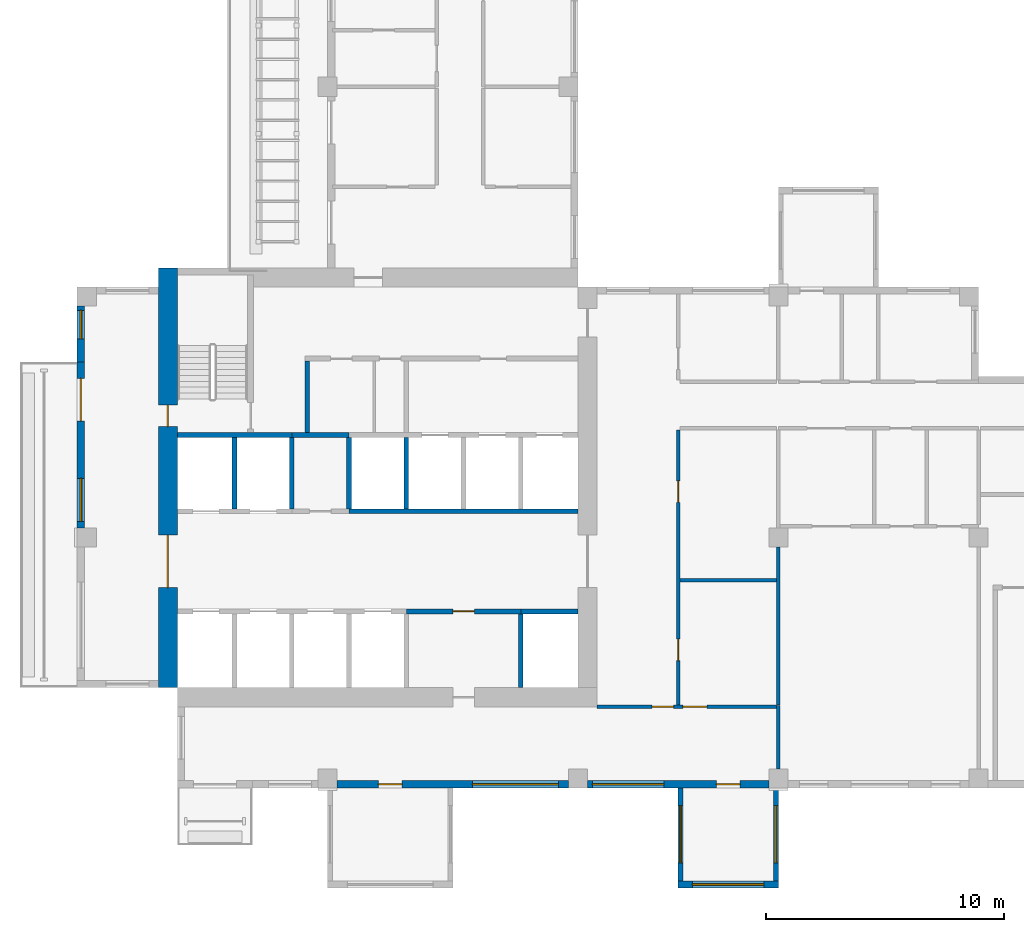
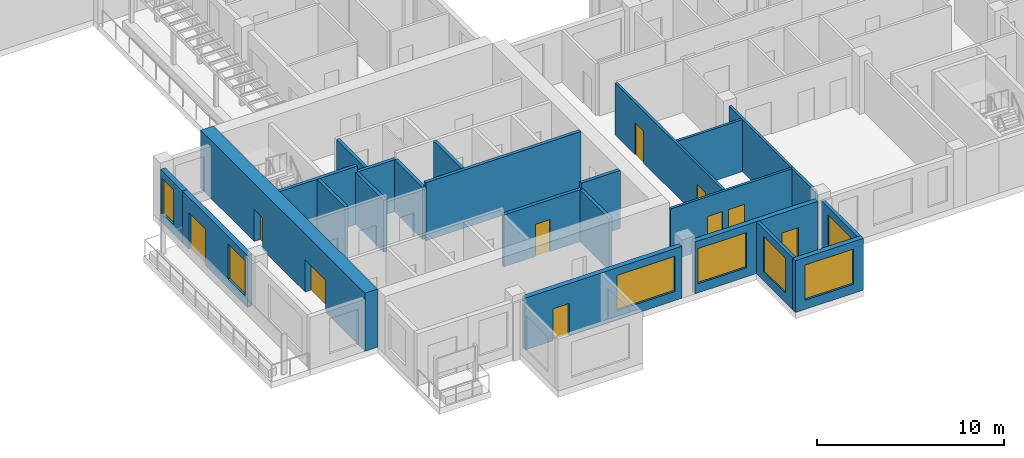
# One storey, part 4 of 14: 24 walls, 10 doors, 7 windows, 17 openings.
"""IFC4 building model written with IfcOpenShell, lengths in metres."""

from ifc_helpers import new_model, si_unit, direction, frame, frame_2d, origin, place, context, subcontext, project, spatial, rectangle, extrude, source, transform, mapped, material, layer, layer_set, type_object, element, fill, save


model = new_model("IFC4")

# Units and contexts
model_context = context("Model", 3, precision=1e-05, world=origin(), true_north=direction((0.0, 1.0)))
body_context = subcontext(model_context, "Body", "Model", "MODEL_VIEW")
ifc_project = project(units=[si_unit("LENGTHUNIT", "METRE"), si_unit("AREAUNIT", "SQUARE_METRE"), si_unit("VOLUMEUNIT", "CUBIC_METRE"), si_unit("PLANEANGLEUNIT", "RADIAN"), si_unit("MASSUNIT", "GRAM", prefix="KILO")], contexts=[model_context])

# Site, building, storey
site_placement = place(None, origin())
site = spatial("IfcSite", under=ifc_project, at=site_placement, CompositionType="ELEMENT")
building_placement = place(site_placement, origin())
building = spatial("IfcBuilding", under=site, at=building_placement, Name="Aurelian Terraces", CompositionType="ELEMENT")
storey_placement = place(building_placement, frame((0.0, 0.0, 231.0)))
storey = spatial("IfcBuildingStorey", under=building, at=storey_placement, Name="L52", CompositionType="ELEMENT", Elevation=231.0)

# Wall, openings, window, door
ifc_material_1 = material(Name="Terracotta rainscreen cladding", Category="masonry")
ifc_layer_1 = layer(ifc_material_1, 0.3)
ifc_layer_set_1 = layer_set([ifc_layer_1], Name="EW-300")
wall_type_1 = type_object("IfcWallType", Name="EW-300", PredefinedType="STANDARD", material=ifc_layer_set_1)
wall_1_placement = place(storey_placement, frame((10.9, 0.15, 0.0), z_axis=(0.0, 0.0, 1.0), x_axis=(1.0, 0.0, 0.0)))
wall_1 = element("IfcWall", 1, at=wall_1_placement, inside=storey, type_object=wall_type_1, Name="External wall L52 F01.3", PredefinedType="STANDARD", context=body_context, shape_type="SweptSolid", body=[
    extrude(rectangle(XDim=9.7, YDim=0.3, at=frame_2d((4.85, 0.0))), origin(), (0.0, 0.0, 1.0), 3.4),
])
shared_shape_1 = source(origin(), body_context, "Body", "SweptSolid", [
    extrude(rectangle(XDim=3.6, YDim=2.3, at=frame_2d((1.8, 1.15))), frame((0.0, 0.16, 0.0), z_axis=(0.0, -1.0, 0.0), x_axis=(1.0, 0.0, 0.0)), (0.0, 0.0, 1.0), 0.32),
])
opening_1_placement = place(wall_1_placement, frame((5.675, 0.0, 0.6)))
opening_1 = element("IfcOpeningElement", 2, at=opening_1_placement, cuts=wall_1, Name="Opening W3623", PredefinedType="OPENING", context=body_context, shape_type="MappedRepresentation", body=[
    mapped(shared_shape_1, transform((0.0, 0.0, 0.0), scale=1.0)),
])
shared_shape_2 = source(origin(), body_context, "Body", "SweptSolid", [
    extrude(rectangle(XDim=1.0, YDim=2.1, at=frame_2d((0.5, 1.05))), frame((0.0, 0.16, 0.0), z_axis=(0.0, -1.0, 0.0), x_axis=(1.0, 0.0, 0.0)), (0.0, 0.0, 1.0), 0.32),
])
opening_2_placement = place(wall_1_placement, frame((1.725, 0.0, 0.0)))
opening_2 = element("IfcOpeningElement", 3, at=opening_2_placement, cuts=wall_1, Name="Opening 852001", PredefinedType="OPENING", context=body_context, shape_type="MappedRepresentation", body=[
    mapped(shared_shape_2, transform((0.0, 0.0, 0.0), scale=1.0)),
])
ifc_material_2 = material(Name="Clear glazing", Category="glass")
window_type_1 = type_object("IfcWindowType", Name="W-3600x2300", PartitioningType="SINGLE_PANEL", PredefinedType="WINDOW", material=ifc_material_2)
shared_shape_3 = source(origin(), body_context, "Body", "SweptSolid", [
    extrude(rectangle(XDim=3.6, YDim=2.3, at=frame_2d((1.8, 1.15))), frame((0.0, 0.03, 0.0), z_axis=(0.0, -1.0, 0.0), x_axis=(1.0, 0.0, 0.0)), (0.0, 0.0, 1.0), 0.06),
])
window_1_placement = place(opening_1_placement, origin())
window_1 = element("IfcWindow", 4, at=window_1_placement, inside=storey, type_object=window_type_1, Name="Window L52 L52-F01-03-1", OverallHeight=2.3, OverallWidth=3.6, PartitioningType="SINGLE_PANEL", PredefinedType="WINDOW", context=body_context, shape_type="MappedRepresentation", body=[
    mapped(shared_shape_3, transform((0.0, 0.0, 0.0), scale=1.0)),
])
fill(opening_1, window_1)
ifc_material_3 = material(Name="Timber door leaf", Category="wood")
door_type_1 = type_object("IfcDoorType", Name="Room door 1000x2100 left", OperationType="SINGLE_SWING_LEFT", PredefinedType="DOOR", material=ifc_material_3)
shared_shape_4 = source(origin(), body_context, "Body", "SweptSolid", [
    extrude(rectangle(XDim=1.0, YDim=2.1, at=frame_2d((0.5, 1.05))), frame((0.0, 0.025, 0.0), z_axis=(0.0, -1.0, 0.0), x_axis=(1.0, 0.0, 0.0)), (0.0, 0.0, 1.0), 0.05),
])
door_1_placement = place(opening_2_placement, origin())
door_1 = element("IfcDoor", 5, at=door_1_placement, inside=storey, type_object=door_type_1, Name="Door 852001", OperationType="SINGLE_SWING_LEFT", OverallHeight=2.1, OverallWidth=1.0, PredefinedType="DOOR", context=body_context, shape_type="MappedRepresentation", body=[
    mapped(shared_shape_4, transform((0.0, 0.0, 0.0), scale=1.0)),
])
fill(opening_2, door_1)

# Wall, opening, window
wall_2_placement = place(storey_placement, frame((0.15, 20.2, 0.0), z_axis=(0.0, 0.0, 1.0), x_axis=(0.0, -1.0, 0.0)))
wall_2 = element("IfcWall", 6, at=wall_2_placement, inside=storey, type_object=wall_type_1, Name="External wall L52 F22.36", PredefinedType="STANDARD", context=body_context, shape_type="SweptSolid", body=[
    extrude(rectangle(XDim=2.35, YDim=0.3, at=frame_2d((1.175, 0.0))), origin(), (0.0, 0.0, 1.0), 3.4),
])
shared_shape_5 = source(origin(), body_context, "Body", "SweptSolid", [
    extrude(rectangle(XDim=1.2, YDim=2.3, at=frame_2d((0.6, 1.15))), frame((0.0, 0.16, 0.0), z_axis=(0.0, -1.0, 0.0), x_axis=(1.0, 0.0, 0.0)), (0.0, 0.0, 1.0), 0.32),
])
opening_3_placement = place(wall_2_placement, frame((0.175, 0.0, 0.6)))
opening_3 = element("IfcOpeningElement", 7, at=opening_3_placement, cuts=wall_2, Name="Opening W1223", PredefinedType="OPENING", context=body_context, shape_type="MappedRepresentation", body=[
    mapped(shared_shape_5, transform((0.0, 0.0, 0.0), scale=1.0)),
])
window_type_2 = type_object("IfcWindowType", Name="W-1200x2300", PartitioningType="SINGLE_PANEL", PredefinedType="WINDOW", material=ifc_material_2)
shared_shape_6 = source(origin(), body_context, "Body", "SweptSolid", [
    extrude(rectangle(XDim=1.2, YDim=2.3, at=frame_2d((0.6, 1.15))), frame((0.0, 0.03, 0.0), z_axis=(0.0, -1.0, 0.0), x_axis=(1.0, 0.0, 0.0)), (0.0, 0.0, 1.0), 0.06),
])
window_2_placement = place(opening_3_placement, origin())
window_2 = element("IfcWindow", 8, at=window_2_placement, inside=storey, type_object=window_type_2, Name="Window L52 L52-F22-36-0", OverallHeight=2.3, OverallWidth=1.2, PartitioningType="SINGLE_PANEL", PredefinedType="WINDOW", context=body_context, shape_type="MappedRepresentation", body=[
    mapped(shared_shape_6, transform((0.0, 0.0, 0.0), scale=1.0)),
])
fill(opening_3, window_2)

# Wall, openings, door, window
wall_3_placement = place(storey_placement, frame((0.15, 17.85, 0.0), z_axis=(0.0, 0.0, 1.0), x_axis=(0.0, -1.0, 0.0)))
wall_3 = element("IfcWall", 9, at=wall_3_placement, inside=storey, type_object=wall_type_1, Name="External wall L52 F22.37", PredefinedType="STANDARD", context=body_context, shape_type="SweptSolid", body=[
    extrude(rectangle(XDim=6.95, YDim=0.3, at=frame_2d((3.475, 0.0))), origin(), (0.0, 0.0, 1.0), 3.4),
])
shared_shape_7 = source(origin(), body_context, "Body", "SweptSolid", [
    extrude(rectangle(XDim=1.8, YDim=2.4, at=frame_2d((0.9, 1.2))), frame((0.0, 0.16, 0.0), z_axis=(0.0, -1.0, 0.0), x_axis=(1.0, 0.0, 0.0)), (0.0, 0.0, 1.0), 0.32),
])
opening_4_placement = place(wall_3_placement, frame((0.675, 0.0, 0.0)))
opening_4 = element("IfcOpeningElement", 10, at=opening_4_placement, cuts=wall_3, Name="Opening 85207", PredefinedType="OPENING", context=body_context, shape_type="MappedRepresentation", body=[
    mapped(shared_shape_7, transform((0.0, 0.0, 0.0), scale=1.0)),
])
shared_shape_8 = source(origin(), body_context, "Body", "SweptSolid", [
    extrude(rectangle(XDim=1.8, YDim=2.3, at=frame_2d((0.9, 1.15))), frame((0.0, 0.16, 0.0), z_axis=(0.0, -1.0, 0.0), x_axis=(1.0, 0.0, 0.0)), (0.0, 0.0, 1.0), 0.32),
])
opening_5_placement = place(wall_3_placement, frame((4.875, 0.0, 0.6)))
opening_5 = element("IfcOpeningElement", 11, at=opening_5_placement, cuts=wall_3, Name="Opening W1823", PredefinedType="OPENING", context=body_context, shape_type="MappedRepresentation", body=[
    mapped(shared_shape_8, transform((0.0, 0.0, 0.0), scale=1.0)),
])
door_type_2 = type_object("IfcDoorType", Name="BD-1800x2400", OperationType="SLIDING_TO_LEFT", PredefinedType="DOOR", material=ifc_material_2)
shared_shape_9 = source(origin(), body_context, "Body", "SweptSolid", [
    extrude(rectangle(XDim=1.8, YDim=2.4, at=frame_2d((0.9, 1.2))), frame((0.0, 0.025, 0.0), z_axis=(0.0, -1.0, 0.0), x_axis=(1.0, 0.0, 0.0)), (0.0, 0.0, 1.0), 0.05),
])
door_2_placement = place(opening_4_placement, origin())
door_2 = element("IfcDoor", 12, at=door_2_placement, inside=storey, type_object=door_type_2, Name="Balcony door L52 F22.37", OperationType="SLIDING_TO_LEFT", OverallHeight=2.4, OverallWidth=1.8, PredefinedType="DOOR", context=body_context, shape_type="MappedRepresentation", body=[
    mapped(shared_shape_9, transform((0.0, 0.0, 0.0), scale=1.0)),
])
fill(opening_4, door_2)
window_type_3 = type_object("IfcWindowType", Name="W-1800x2300", PartitioningType="SINGLE_PANEL", PredefinedType="WINDOW", material=ifc_material_2)
shared_shape_10 = source(origin(), body_context, "Body", "SweptSolid", [
    extrude(rectangle(XDim=1.8, YDim=2.3, at=frame_2d((0.9, 1.15))), frame((0.0, 0.03, 0.0), z_axis=(0.0, -1.0, 0.0), x_axis=(1.0, 0.0, 0.0)), (0.0, 0.0, 1.0), 0.06),
])
window_3_placement = place(opening_5_placement, origin())
window_3 = element("IfcWindow", 13, at=window_3_placement, inside=storey, type_object=window_type_3, Name="Window L52 L52-F22-37-1", OverallHeight=2.3, OverallWidth=1.8, PartitioningType="SINGLE_PANEL", PredefinedType="WINDOW", context=body_context, shape_type="MappedRepresentation", body=[
    mapped(shared_shape_10, transform((0.0, 0.0, 0.0), scale=1.0)),
])
fill(opening_5, window_3)

# Wall, openings, doors
ifc_material_4 = material(Name="Concrete fc' 70 MPa", Category="concrete")
ifc_layer_2 = layer(ifc_material_4, 0.8)
ifc_layer_set_2 = layer_set([ifc_layer_2], Name="CORE WALL 800 FC70")
wall_type_2 = type_object("IfcWallType", Name="CORE WALL 800 FC70", PredefinedType="SHEAR", material=ifc_layer_set_2)
shared_shape_11 = source(origin(), body_context, "Body", "SweptSolid", [
    extrude(rectangle(XDim=17.6, YDim=0.8, at=frame_2d((8.8, 0.0))), origin(), (0.0, 0.0, 1.0), 3.8),
])
wall_4_placement = place(storey_placement, frame((3.8, 4.2, 0.0), z_axis=(0.0, 0.0, 1.0), x_axis=(0.0, 1.0, 0.0)))
wall_4 = element("IfcWall", 14, at=wall_4_placement, inside=storey, type_object=wall_type_2, Name="Core wall W L52", PredefinedType="SHEAR", context=body_context, shape_type="MappedRepresentation", body=[
    mapped(shared_shape_11, transform((0.0, 0.0, 0.0), scale=1.0)),
])
shared_shape_12 = source(origin(), body_context, "Body", "SweptSolid", [
    extrude(rectangle(XDim=2.2, YDim=2.1, at=frame_2d((1.1, 1.05))), frame((0.0, 0.41, 0.0), z_axis=(0.0, -1.0, 0.0), x_axis=(1.0, 0.0, 0.0)), (0.0, 0.0, 1.0), 0.82),
])
opening_6_placement = place(wall_4_placement, frame((4.2, 0.0, 0.0)))
opening_6 = element("IfcOpeningElement", 15, at=opening_6_placement, cuts=wall_4, Name="Opening 65522", PredefinedType="OPENING", context=body_context, shape_type="MappedRepresentation", body=[
    mapped(shared_shape_12, transform((0.0, 0.0, 0.0), scale=1.0)),
])
shared_shape_13 = source(origin(), body_context, "Body", "SweptSolid", [
    extrude(rectangle(XDim=0.9, YDim=2.1, at=frame_2d((0.45, 1.05))), frame((0.0, 0.41, 0.0), z_axis=(0.0, -1.0, 0.0), x_axis=(1.0, 0.0, 0.0)), (0.0, 0.0, 1.0), 0.82),
])
opening_7_placement = place(wall_4_placement, frame((10.95, 0.0, 0.0)))
opening_7 = element("IfcOpeningElement", 16, at=opening_7_placement, cuts=wall_4, Name="Opening 65526", PredefinedType="OPENING", context=body_context, shape_type="MappedRepresentation", body=[
    mapped(shared_shape_13, transform((0.0, 0.0, 0.0), scale=1.0)),
])
ifc_material_5 = material(Name="Steel door leaf", Category="steel")
door_type_3 = type_object("IfcDoorType", Name="Core service door 900x2100", OperationType="SINGLE_SWING_LEFT", PredefinedType="DOOR", material=ifc_material_5)
shared_shape_14 = source(origin(), body_context, "Body", "SweptSolid", [
    extrude(rectangle(XDim=0.9, YDim=2.1, at=frame_2d((0.45, 1.05))), frame((0.0, 0.025, 0.0), z_axis=(0.0, -1.0, 0.0), x_axis=(1.0, 0.0, 0.0)), (0.0, 0.0, 1.0), 0.05),
])
door_3_placement = place(opening_7_placement, origin())
door_3 = element("IfcDoor", 17, at=door_3_placement, inside=storey, type_object=door_type_3, Name="Core door 65526", OperationType="SINGLE_SWING_LEFT", OverallHeight=2.1, OverallWidth=0.9, PredefinedType="DOOR", context=body_context, shape_type="MappedRepresentation", body=[
    mapped(shared_shape_14, transform((0.0, 0.0, 0.0), scale=1.0)),
])
fill(opening_7, door_3)
door_type_4 = type_object("IfcDoorType", Name="Core double door 2200x2100", OperationType="DOUBLE_DOOR_SINGLE_SWING", PredefinedType="DOOR", material=ifc_material_5)
shared_shape_15 = source(origin(), body_context, "Body", "SweptSolid", [
    extrude(rectangle(XDim=2.2, YDim=2.1, at=frame_2d((1.1, 1.05))), frame((0.0, 0.025, 0.0), z_axis=(0.0, -1.0, 0.0), x_axis=(1.0, 0.0, 0.0)), (0.0, 0.0, 1.0), 0.05),
])
door_4_placement = place(opening_6_placement, origin())
door_4 = element("IfcDoor", 18, at=door_4_placement, inside=storey, type_object=door_type_4, Name="Core door 65522", OperationType="DOUBLE_DOOR_SINGLE_SWING", OverallHeight=2.1, OverallWidth=2.2, PredefinedType="DOOR", context=body_context, shape_type="MappedRepresentation", body=[
    mapped(shared_shape_15, transform((0.0, 0.0, 0.0), scale=1.0)),
])
fill(opening_6, door_4)

# Wall, opening, window
ifc_material_6 = material(Name="Concrete fc' 40 MPa", Category="concrete")
ifc_layer_3 = layer(ifc_material_6, 0.2)
ifc_layer_set_3 = layer_set([ifc_layer_3], Name="BOX BEARING WALL 200")
wall_type_3 = type_object("IfcWallType", Name="BOX BEARING WALL 200", PredefinedType="SOLIDWALL", material=ifc_layer_set_3)
shared_shape_16 = source(origin(), body_context, "Body", "SweptSolid", [
    extrude(rectangle(XDim=3.9, YDim=0.2, at=frame_2d((1.95, 0.0))), origin(), (0.0, 0.0, 1.0), 3.39),
])
wall_5_placement = place(storey_placement, frame((25.3, 0.0, 0.0), z_axis=(0.0, 0.0, 1.0), x_axis=(0.0, -1.0, 0.0)))
wall_5 = element("IfcWall", 19, at=wall_5_placement, inside=storey, type_object=wall_type_3, Name="Box return L52 J76.1", PredefinedType="SOLIDWALL", context=body_context, shape_type="MappedRepresentation", body=[
    mapped(shared_shape_16, transform((0.0, 0.0, 0.0), scale=1.0)),
])
shared_shape_17 = source(origin(), body_context, "Body", "SweptSolid", [
    extrude(rectangle(XDim=2.4, YDim=2.3, at=frame_2d((1.2, 1.15))), frame((0.0, 0.11, 0.0), z_axis=(0.0, -1.0, 0.0), x_axis=(1.0, 0.0, 0.0)), (0.0, 0.0, 1.0), 0.22),
])
opening_8_placement = place(wall_5_placement, frame((0.75, 0.0, 0.6)))
opening_8 = element("IfcOpeningElement", 20, at=opening_8_placement, cuts=wall_5, Name="Opening W2423", PredefinedType="OPENING", context=body_context, shape_type="MappedRepresentation", body=[
    mapped(shared_shape_17, transform((0.0, 0.0, 0.0), scale=1.0)),
])
window_type_4 = type_object("IfcWindowType", Name="W-2400x2300", PartitioningType="SINGLE_PANEL", PredefinedType="WINDOW", material=ifc_material_2)
shared_shape_18 = source(origin(), body_context, "Body", "SweptSolid", [
    extrude(rectangle(XDim=2.4, YDim=2.3, at=frame_2d((1.2, 1.15))), frame((0.0, 0.03, 0.0), z_axis=(0.0, -1.0, 0.0), x_axis=(1.0, 0.0, 0.0)), (0.0, 0.0, 1.0), 0.06),
])
window_4_placement = place(opening_8_placement, origin())
window_4 = element("IfcWindow", 21, at=window_4_placement, inside=storey, type_object=window_type_4, Name="Window L52 J76-S1", OverallHeight=2.3, OverallWidth=2.4, PartitioningType="SINGLE_PANEL", PredefinedType="WINDOW", context=body_context, shape_type="MappedRepresentation", body=[
    mapped(shared_shape_18, transform((0.0, 0.0, 0.0), scale=1.0)),
])
fill(opening_8, window_4)

wall_6_placement = place(storey_placement, frame((29.3, 0.0, 0.0), z_axis=(0.0, 0.0, 1.0), x_axis=(0.0, -1.0, 0.0)))
wall_6 = element("IfcWall", 22, at=wall_6_placement, inside=storey, type_object=wall_type_3, Name="Box return L52 J76.2", PredefinedType="SOLIDWALL", context=body_context, shape_type="MappedRepresentation", body=[
    mapped(shared_shape_16, transform((0.0, 0.0, 0.0), scale=1.0)),
])
opening_9_placement = place(wall_6_placement, frame((0.75, 0.0, 0.6)))
opening_9 = element("IfcOpeningElement", 23, at=opening_9_placement, cuts=wall_6, Name="Opening W2423", PredefinedType="OPENING", context=body_context, shape_type="MappedRepresentation", body=[
    mapped(shared_shape_17, transform((0.0, 0.0, 0.0), scale=1.0)),
])
window_5_placement = place(opening_9_placement, origin())
window_5 = element("IfcWindow", 24, at=window_5_placement, inside=storey, type_object=window_type_4, Name="Window L52 J76-S2", OverallHeight=2.3, OverallWidth=2.4, PartitioningType="SINGLE_PANEL", PredefinedType="WINDOW", context=body_context, shape_type="MappedRepresentation", body=[
    mapped(shared_shape_18, transform((0.0, 0.0, 0.0), scale=1.0)),
])
fill(opening_9, window_5)

ifc_layer_4 = layer(ifc_material_6, 0.3)
ifc_layer_set_4 = layer_set([ifc_layer_4], Name="BOX BEARING WALL 300")
wall_type_4 = type_object("IfcWallType", Name="BOX BEARING WALL 300", PredefinedType="SOLIDWALL", material=ifc_layer_set_4)
shared_shape_19 = source(origin(), body_context, "Body", "SweptSolid", [
    extrude(rectangle(XDim=4.2, YDim=0.3, at=frame_2d((2.1, 0.0))), origin(), (0.0, 0.0, 1.0), 3.39),
])
wall_7_placement = place(storey_placement, frame((25.2, -4.05, 0.0), z_axis=(0.0, 0.0, 1.0), x_axis=(1.0, 0.0, 0.0)))
wall_7 = element("IfcWall", 25, at=wall_7_placement, inside=storey, type_object=wall_type_4, Name="Box wall L52 J76", PredefinedType="SOLIDWALL", context=body_context, shape_type="MappedRepresentation", body=[
    mapped(shared_shape_19, transform((0.0, 0.0, 0.0), scale=1.0)),
])
shared_shape_20 = source(origin(), body_context, "Body", "SweptSolid", [
    extrude(rectangle(XDim=3.0, YDim=2.3, at=frame_2d((1.5, 1.15))), frame((0.0, 0.16, 0.0), z_axis=(0.0, -1.0, 0.0), x_axis=(1.0, 0.0, 0.0)), (0.0, 0.0, 1.0), 0.32),
])
opening_10_placement = place(wall_7_placement, frame((0.6, 0.0, 0.6)))
opening_10 = element("IfcOpeningElement", 26, at=opening_10_placement, cuts=wall_7, Name="Opening W3023", PredefinedType="OPENING", context=body_context, shape_type="MappedRepresentation", body=[
    mapped(shared_shape_20, transform((0.0, 0.0, 0.0), scale=1.0)),
])
window_type_5 = type_object("IfcWindowType", Name="W-3000x2300", PartitioningType="SINGLE_PANEL", PredefinedType="WINDOW", material=ifc_material_2)
shared_shape_21 = source(origin(), body_context, "Body", "SweptSolid", [
    extrude(rectangle(XDim=3.0, YDim=2.3, at=frame_2d((1.5, 1.15))), frame((0.0, 0.03, 0.0), z_axis=(0.0, -1.0, 0.0), x_axis=(1.0, 0.0, 0.0)), (0.0, 0.0, 1.0), 0.06),
])
window_6_placement = place(opening_10_placement, origin())
window_6 = element("IfcWindow", 27, at=window_6_placement, inside=storey, type_object=window_type_5, Name="Window L52 J76-F1", OverallHeight=2.3, OverallWidth=3.0, PartitioningType="SINGLE_PANEL", PredefinedType="WINDOW", context=body_context, shape_type="MappedRepresentation", body=[
    mapped(shared_shape_21, transform((0.0, 0.0, 0.0), scale=1.0)),
])
fill(opening_10, window_6)

# Wall, openings, window, door
shared_shape_22 = source(origin(), body_context, "Body", "SweptSolid", [
    extrude(rectangle(XDim=7.6, YDim=0.3, at=frame_2d((3.8, 0.0))), origin(), (0.0, 0.0, 1.0), 3.4),
])
wall_8_placement = place(storey_placement, frame((21.4, 0.15, 0.0), z_axis=(0.0, 0.0, 1.0), x_axis=(1.0, 0.0, 0.0)))
wall_8 = element("IfcWall", 28, at=wall_8_placement, inside=storey, type_object=wall_type_1, Name="External wall L52 F01.4", PredefinedType="STANDARD", context=body_context, shape_type="MappedRepresentation", body=[
    mapped(shared_shape_22, transform((0.0, 0.0, 0.0), scale=1.0)),
])
opening_11_placement = place(wall_8_placement, frame((0.2, 0.0, 0.6)))
opening_11 = element("IfcOpeningElement", 29, at=opening_11_placement, cuts=wall_8, Name="Opening W3023", PredefinedType="OPENING", context=body_context, shape_type="MappedRepresentation", body=[
    mapped(shared_shape_20, transform((0.0, 0.0, 0.0), scale=1.0)),
])
opening_12_placement = place(wall_8_placement, frame((5.4, 0.0, 0.0)))
opening_12 = element("IfcOpeningElement", 30, at=opening_12_placement, cuts=wall_8, Name="Opening 852002", PredefinedType="OPENING", context=body_context, shape_type="MappedRepresentation", body=[
    mapped(shared_shape_2, transform((0.0, 0.0, 0.0), scale=1.0)),
])
window_7_placement = place(opening_11_placement, origin())
window_7 = element("IfcWindow", 31, at=window_7_placement, inside=storey, type_object=window_type_5, Name="Window L52 L52-F01-04-0", OverallHeight=2.3, OverallWidth=3.0, PartitioningType="SINGLE_PANEL", PredefinedType="WINDOW", context=body_context, shape_type="MappedRepresentation", body=[
    mapped(shared_shape_21, transform((0.0, 0.0, 0.0), scale=1.0)),
])
fill(opening_11, window_7)
door_5_placement = place(opening_12_placement, origin())
door_5 = element("IfcDoor", 32, at=door_5_placement, inside=storey, type_object=door_type_1, Name="Door 852002", OperationType="SINGLE_SWING_LEFT", OverallHeight=2.1, OverallWidth=1.0, PredefinedType="DOOR", context=body_context, shape_type="MappedRepresentation", body=[
    mapped(shared_shape_4, transform((0.0, 0.0, 0.0), scale=1.0)),
])
fill(opening_12, door_5)

# Walls
ifc_layer_5 = layer(ifc_material_6, 0.2)
ifc_layer_set_5 = layer_set([ifc_layer_5], Name="Lift shaft wall 200")
wall_type_5 = type_object("IfcWallType", Name="Lift shaft wall 200", PredefinedType="SOLIDWALL", material=ifc_layer_set_5)
shared_shape_23 = source(origin(), body_context, "Body", "SweptSolid", [
    extrude(rectangle(XDim=3.1, YDim=0.2, at=frame_2d((1.55, 0.0))), origin(), (0.0, 0.0, 1.0), 3.4),
])
wall_9_placement = place(storey_placement, frame((18.6, 4.2, 0.0), z_axis=(0.0, 0.0, 1.0), x_axis=(0.0, 1.0, 0.0)))
element("IfcWall", 33, at=wall_9_placement, inside=storey, type_object=wall_type_5, Name="L52 core wall CD-A6", PredefinedType="SOLIDWALL", context=body_context, shape_type="MappedRepresentation", body=[
    mapped(shared_shape_23, transform((0.0, 0.0, 0.0), scale=1.0)),
])
shared_shape_24 = source(origin(), body_context, "Body", "SweptSolid", [
    extrude(rectangle(XDim=3.0, YDim=0.2, at=frame_2d((1.5, 0.0))), origin(), (0.0, 0.0, 1.0), 3.4),
])
for number, where, z_axis, x_axis, name in (
    (34, (9.0, 11.7, 0.0), (0.0, 0.0, 1.0), (0.0, 1.0, 0.0), "L52 core wall CD-B2"),
    (35, (11.4, 11.7, 0.0), (0.0, 0.0, 1.0), (0.0, 1.0, 0.0), "L52 core wall CD-B3"),
):
    element("IfcWall", number, at=place(storey_placement, frame(where, z_axis=z_axis, x_axis=x_axis)), inside=storey, type_object=wall_type_5, Name=name, PredefinedType="SOLIDWALL", context=body_context, shape_type="MappedRepresentation", body=[
        mapped(shared_shape_24, transform((0.0, 0.0, 0.0), scale=1.0)),
    ])
shared_shape_25 = source(origin(), body_context, "Body", "SweptSolid", [
    extrude(rectangle(XDim=3.0, YDim=0.2, at=frame_2d((1.5, 0.0))), origin(), (0.0, 0.0, 1.0), 3.8),
])
for number, where, z_axis, x_axis, name in (
    (36, (6.6, 11.7, 0.0), (0.0, 0.0, 1.0), (0.0, 1.0, 0.0), "L52 core wall CD-B1"),
    (37, (13.8, 11.7, 0.0), (0.0, 0.0, 1.0), (0.0, 1.0, 0.0), "L52 core wall CD-B4"),
):
    element("IfcWall", number, at=place(storey_placement, frame(where, z_axis=z_axis, x_axis=x_axis)), inside=storey, type_object=wall_type_5, Name=name, PredefinedType="SOLIDWALL", context=body_context, shape_type="MappedRepresentation", body=[
        mapped(shared_shape_25, transform((0.0, 0.0, 0.0), scale=1.0)),
    ])
shared_shape_26 = source(origin(), body_context, "Body", "SweptSolid", [
    extrude(rectangle(XDim=9.6, YDim=0.2, at=frame_2d((4.8, 0.0))), origin(), (0.0, 0.0, 1.0), 3.8),
])
wall_10_placement = place(storey_placement, frame((11.4, 11.6, 0.0), z_axis=(0.0, 0.0, 1.0), x_axis=(1.0, 0.0, 0.0)))
element("IfcWall", 38, at=wall_10_placement, inside=storey, type_object=wall_type_5, Name="L52 core wall CF-BF3", PredefinedType="SOLIDWALL", context=body_context, shape_type="MappedRepresentation", body=[
    mapped(shared_shape_26, transform((0.0, 0.0, 0.0), scale=1.0)),
])
shared_shape_27 = source(origin(), body_context, "Body", "SweptSolid", [
    extrude(rectangle(XDim=4.8, YDim=0.2, at=frame_2d((2.4, 0.0))), origin(), (0.0, 0.0, 1.0), 3.8),
])
wall_11_placement = place(storey_placement, frame((4.2, 14.8, 0.0), z_axis=(0.0, 0.0, 1.0), x_axis=(1.0, 0.0, 0.0)))
element("IfcWall", 39, at=wall_11_placement, inside=storey, type_object=wall_type_5, Name="L52 core wall CF-BB1", PredefinedType="SOLIDWALL", context=body_context, shape_type="MappedRepresentation", body=[
    mapped(shared_shape_27, transform((0.0, 0.0, 0.0), scale=1.0)),
])
shared_shape_28 = source(origin(), body_context, "Body", "SweptSolid", [
    extrude(rectangle(XDim=2.4, YDim=0.2, at=frame_2d((1.2, 0.0))), origin(), (0.0, 0.0, 1.0), 3.4),
])
wall_12_placement = place(storey_placement, frame((9.0, 14.8, 0.0), z_axis=(0.0, 0.0, 1.0), x_axis=(1.0, 0.0, 0.0)))
element("IfcWall", 40, at=wall_12_placement, inside=storey, type_object=wall_type_5, Name="L52 core wall CF-BB2", PredefinedType="SOLIDWALL", context=body_context, shape_type="MappedRepresentation", body=[
    mapped(shared_shape_28, transform((0.0, 0.0, 0.0), scale=1.0)),
])
ifc_material_7 = material(Name="Gypsum board on steel studs", Category="steel")
ifc_layer_6 = layer(ifc_material_7, 0.2)
ifc_layer_set_6 = layer_set([ifc_layer_6], Name="Core partition 200")
wall_type_6 = type_object("IfcWallType", Name="Core partition 200", PredefinedType="PARTITIONING", material=ifc_layer_set_6)
shared_shape_29 = source(origin(), body_context, "Body", "SweptSolid", [
    extrude(rectangle(XDim=3.0, YDim=0.2, at=frame_2d((1.5, 0.0))), origin(), (0.0, 0.0, 1.0), 3.4),
])
wall_13_placement = place(storey_placement, frame((9.65, 14.9, 0.0), z_axis=(0.0, 0.0, 1.0), x_axis=(0.0, 1.0, 0.0)))
element("IfcWall", 41, at=wall_13_placement, inside=storey, type_object=wall_type_6, Name="L52 core wall CP-VEST", PredefinedType="PARTITIONING", context=body_context, shape_type="MappedRepresentation", body=[
    mapped(shared_shape_29, transform((0.0, 0.0, 0.0), scale=1.0)),
])

# Wall, opening, door
shared_shape_30 = source(origin(), body_context, "Body", "SweptSolid", [
    extrude(rectangle(XDim=4.8, YDim=0.2, at=frame_2d((2.4, 0.0))), origin(), (0.0, 0.0, 1.0), 3.4),
])
wall_14_placement = place(storey_placement, frame((13.8, 7.4, 0.0), z_axis=(0.0, 0.0, 1.0), x_axis=(1.0, 0.0, 0.0)))
wall_14 = element("IfcWall", 42, at=wall_14_placement, inside=storey, type_object=wall_type_5, Name="L52 core wall CF-AF2", PredefinedType="SOLIDWALL", context=body_context, shape_type="MappedRepresentation", body=[
    mapped(shared_shape_30, transform((0.0, 0.0, 0.0), scale=1.0)),
])
shared_shape_31 = source(origin(), body_context, "Body", "SweptSolid", [
    extrude(rectangle(XDim=0.9, YDim=2.1, at=frame_2d((0.45, 1.05))), frame((0.0, 0.11, 0.0), z_axis=(0.0, -1.0, 0.0), x_axis=(1.0, 0.0, 0.0)), (0.0, 0.0, 1.0), 0.22),
])
opening_13_placement = place(wall_14_placement, frame((1.95, 0.0, 0.0)))
opening_13 = element("IfcOpeningElement", 43, at=opening_13_placement, cuts=wall_14, Name="Opening 65504", PredefinedType="OPENING", context=body_context, shape_type="MappedRepresentation", body=[
    mapped(shared_shape_31, transform((0.0, 0.0, 0.0), scale=1.0)),
])
door_type_5 = type_object("IfcDoorType", Name="Core service door 900x2100 right", OperationType="SINGLE_SWING_RIGHT", PredefinedType="DOOR", material=ifc_material_5)
door_6_placement = place(opening_13_placement, origin())
door_6 = element("IfcDoor", 44, at=door_6_placement, inside=storey, type_object=door_type_5, Name="Room door 65504", OperationType="SINGLE_SWING_RIGHT", OverallHeight=2.1, OverallWidth=0.9, PredefinedType="DOOR", context=body_context, shape_type="MappedRepresentation", body=[
    mapped(shared_shape_14, transform((0.0, 0.0, 0.0), scale=1.0)),
])
fill(opening_13, door_6)

# Wall
shared_shape_32 = source(origin(), body_context, "Body", "SweptSolid", [
    extrude(rectangle(XDim=2.4, YDim=0.2, at=frame_2d((1.2, 0.0))), origin(), (0.0, 0.0, 1.0), 3.8),
])
wall_15_placement = place(storey_placement, frame((18.6, 7.4, 0.0), z_axis=(0.0, 0.0, 1.0), x_axis=(1.0, 0.0, 0.0)))
element("IfcWall", 45, at=wall_15_placement, inside=storey, type_object=wall_type_5, Name="L52 core wall CF-AF3", PredefinedType="SOLIDWALL", context=body_context, shape_type="MappedRepresentation", body=[
    mapped(shared_shape_32, transform((0.0, 0.0, 0.0), scale=1.0)),
])

# Wall, openings, doors
ifc_layer_7 = layer(ifc_material_7, 0.15)
ifc_layer_set_7 = layer_set([ifc_layer_7], Name="Partition 150")
wall_type_7 = type_object("IfcWallType", Name="Partition 150", PredefinedType="PARTITIONING", material=ifc_layer_set_7)
shared_shape_33 = source(origin(), body_context, "Body", "SweptSolid", [
    extrude(rectangle(XDim=11.525, YDim=0.15, at=frame_2d((5.7625, 0.0))), origin(), (0.0, 0.0, 1.0), 3.4),
])
wall_16_placement = place(storey_placement, frame((25.2, 15.0, 0.0), z_axis=(0.0, 0.0, 1.0), x_axis=(0.0, -1.0, 0.0)))
wall_16 = element("IfcWall", 46, at=wall_16_placement, inside=storey, type_object=wall_type_7, Name="Partition", PredefinedType="PARTITIONING", context=body_context, shape_type="MappedRepresentation", body=[
    mapped(shared_shape_33, transform((0.0, 0.0, 0.0), scale=1.0)),
])
shared_shape_34 = source(origin(), body_context, "Body", "SweptSolid", [
    extrude(rectangle(XDim=0.9, YDim=2.1, at=frame_2d((0.45, 1.05))), frame((0.0, 0.085, 0.0), z_axis=(0.0, -1.0, 0.0), x_axis=(1.0, 0.0, 0.0)), (0.0, 0.0, 1.0), 0.17),
])
opening_14_placement = place(wall_16_placement, frame((8.7625, 0.0, 0.0)))
opening_14 = element("IfcOpeningElement", 47, at=opening_14_placement, cuts=wall_16, Name="Opening 752001", PredefinedType="OPENING", context=body_context, shape_type="MappedRepresentation", body=[
    mapped(shared_shape_34, transform((0.0, 0.0, 0.0), scale=1.0)),
])
opening_15_placement = place(wall_16_placement, frame((2.125, 0.0, 0.0)))
opening_15 = element("IfcOpeningElement", 48, at=opening_15_placement, cuts=wall_16, Name="Opening 752002", PredefinedType="OPENING", context=body_context, shape_type="MappedRepresentation", body=[
    mapped(shared_shape_34, transform((0.0, 0.0, 0.0), scale=1.0)),
])
door_type_6 = type_object("IfcDoorType", Name="Room door 900x2100 right", OperationType="SINGLE_SWING_RIGHT", PredefinedType="DOOR", material=ifc_material_3)
door_7_placement = place(opening_14_placement, origin())
door_7 = element("IfcDoor", 49, at=door_7_placement, inside=storey, type_object=door_type_6, Name="Door 752001", OperationType="SINGLE_SWING_RIGHT", OverallHeight=2.1, OverallWidth=0.9, PredefinedType="DOOR", context=body_context, shape_type="MappedRepresentation", body=[
    mapped(shared_shape_14, transform((0.0, 0.0, 0.0), scale=1.0)),
])
fill(opening_14, door_7)
door_type_7 = type_object("IfcDoorType", Name="Room door 900x2100 left", OperationType="SINGLE_SWING_LEFT", PredefinedType="DOOR", material=ifc_material_3)
door_8_placement = place(opening_15_placement, origin())
door_8 = element("IfcDoor", 50, at=door_8_placement, inside=storey, type_object=door_type_7, Name="Door 752002", OperationType="SINGLE_SWING_LEFT", OverallHeight=2.1, OverallWidth=0.9, PredefinedType="DOOR", context=body_context, shape_type="MappedRepresentation", body=[
    mapped(shared_shape_14, transform((0.0, 0.0, 0.0), scale=1.0)),
])
fill(opening_15, door_8)

shared_shape_35 = source(origin(), body_context, "Body", "SweptSolid", [
    extrude(rectangle(XDim=7.525, YDim=0.15, at=frame_2d((3.7625, 0.0))), origin(), (0.0, 0.0, 1.0), 3.4),
])
wall_17_placement = place(storey_placement, frame((21.8, 3.4, 0.0), z_axis=(0.0, 0.0, 1.0), x_axis=(1.0, 0.0, 0.0)))
wall_17 = element("IfcWall", 51, at=wall_17_placement, inside=storey, type_object=wall_type_7, Name="Partition", PredefinedType="PARTITIONING", context=body_context, shape_type="MappedRepresentation", body=[
    mapped(shared_shape_35, transform((0.0, 0.0, 0.0), scale=1.0)),
])
shared_shape_36 = source(origin(), body_context, "Body", "SweptSolid", [
    extrude(rectangle(XDim=1.0, YDim=2.1, at=frame_2d((0.5, 1.05))), frame((0.0, 0.085, 0.0), z_axis=(0.0, -1.0, 0.0), x_axis=(1.0, 0.0, 0.0)), (0.0, 0.0, 1.0), 0.17),
])
opening_16_placement = place(wall_17_placement, frame((3.6, 0.0, 0.0)))
opening_16 = element("IfcOpeningElement", 52, at=opening_16_placement, cuts=wall_17, Name="Opening 752004", PredefinedType="OPENING", context=body_context, shape_type="MappedRepresentation", body=[
    mapped(shared_shape_36, transform((0.0, 0.0, 0.0), scale=1.0)),
])
opening_17_placement = place(wall_17_placement, frame((2.312, 0.0, 0.0)))
opening_17 = element("IfcOpeningElement", 53, at=opening_17_placement, cuts=wall_17, Name="Opening 752029", PredefinedType="OPENING", context=body_context, shape_type="MappedRepresentation", body=[
    mapped(shared_shape_34, transform((0.0, 0.0, 0.0), scale=1.0)),
])
door_9_placement = place(opening_16_placement, origin())
door_9 = element("IfcDoor", 54, at=door_9_placement, inside=storey, type_object=door_type_1, Name="Door 752004", OperationType="SINGLE_SWING_LEFT", OverallHeight=2.1, OverallWidth=1.0, PredefinedType="DOOR", context=body_context, shape_type="MappedRepresentation", body=[
    mapped(shared_shape_4, transform((0.0, 0.0, 0.0), scale=1.0)),
])
fill(opening_16, door_9)
door_10_placement = place(opening_17_placement, origin())
door_10 = element("IfcDoor", 55, at=door_10_placement, inside=storey, type_object=door_type_7, Name="Door 752029", OperationType="SINGLE_SWING_LEFT", OverallHeight=2.1, OverallWidth=0.9, PredefinedType="DOOR", context=body_context, shape_type="MappedRepresentation", body=[
    mapped(shared_shape_14, transform((0.0, 0.0, 0.0), scale=1.0)),
])
fill(opening_17, door_10)

# Walls
shared_shape_37 = source(origin(), body_context, "Body", "SweptSolid", [
    extrude(rectangle(XDim=4.05, YDim=0.15, at=frame_2d((2.025, 0.0))), origin(), (0.0, 0.0, 1.0), 3.4),
])
wall_18_placement = place(storey_placement, frame((29.325, 8.7, 0.0), z_axis=(0.0, 0.0, 1.0), x_axis=(-1.0, 0.0, 0.0)))
element("IfcWall", 56, at=wall_18_placement, inside=storey, type_object=wall_type_7, Name="Partition", PredefinedType="PARTITIONING", context=body_context, shape_type="MappedRepresentation", body=[
    mapped(shared_shape_37, transform((0.0, 0.0, 0.0), scale=1.0)),
])
shared_shape_38 = source(origin(), body_context, "Body", "SweptSolid", [
    extrude(rectangle(XDim=6.626, YDim=0.15, at=frame_2d((3.313, 0.0))), origin(), (0.0, 0.0, 1.0), 3.4),
])
wall_19_placement = place(storey_placement, frame((29.4, 3.475, 0.0), z_axis=(0.0, 0.0, 1.0), x_axis=(0.0, 1.0, 0.0)))
element("IfcWall", 57, at=wall_19_placement, inside=storey, type_object=wall_type_7, Name="Partition", PredefinedType="PARTITIONING", context=body_context, shape_type="MappedRepresentation", body=[
    mapped(shared_shape_38, transform((0.0, 0.0, 0.0), scale=1.0)),
])
ifc_layer_8 = layer(ifc_material_7, 0.15)
ifc_layer_set_8 = layer_set([ifc_layer_8], Name="Fire partition 150")
wall_type_8 = type_object("IfcWallType", Name="Fire partition 150", PredefinedType="PARTITIONING", material=ifc_layer_set_8)
shared_shape_39 = source(origin(), body_context, "Body", "SweptSolid", [
    extrude(rectangle(XDim=2.656, YDim=0.15, at=frame_2d((1.328, 0.0))), origin(), (0.0, 0.0, 1.0), 3.4),
])
wall_20_placement = place(storey_placement, frame((29.4, 0.799, 0.0), z_axis=(0.0, 0.0, 1.0), x_axis=(0.0, 1.0, 0.0)))
element("IfcWall", 58, at=wall_20_placement, inside=storey, type_object=wall_type_8, Name="Party wall", PredefinedType="PARTITIONING", context=body_context, shape_type="MappedRepresentation", body=[
    mapped(shared_shape_39, transform((0.0, 0.0, 0.0), scale=1.0)),
])

save(model, "model.ifc")
